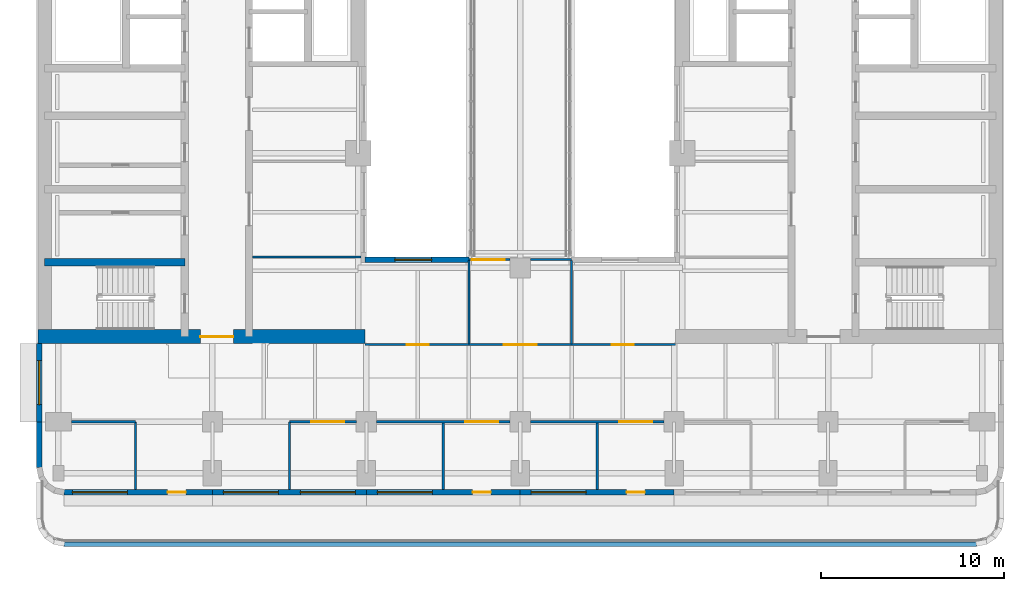
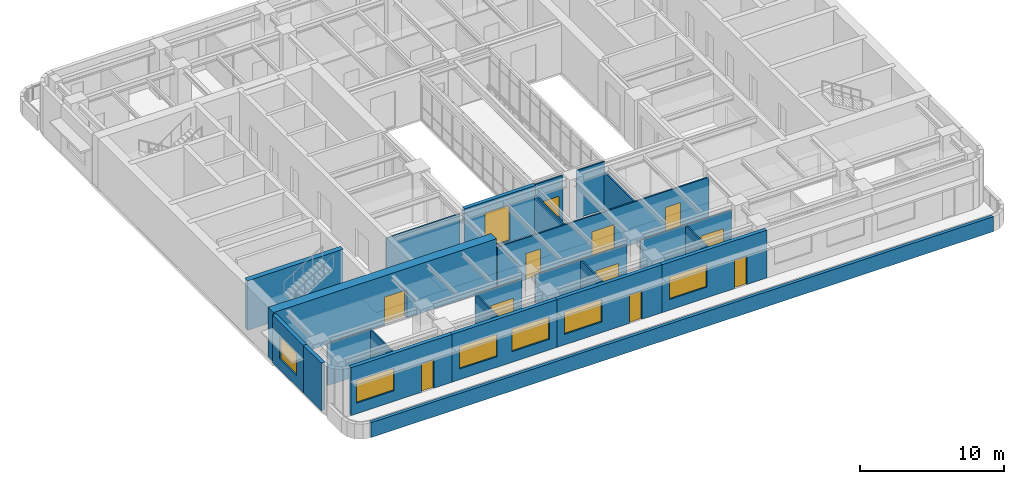
# One storey, part 6 of 15: 24 walls, 11 doors, 7 windows, 18 openings.
"""IFC4 building model written with IfcOpenShell, lengths in metres."""

from ifc_helpers import new_model, si_unit, direction, frame, frame_2d, origin, place, context, subcontext, project, spatial, rectangle, extrude, material, layer, layer_set, type_object, element, fill, save


model = new_model("IFC4")

# Units and contexts
model_context = context("Model", 3, precision=1e-05, world=origin(), true_north=direction((0.0, 1.0)))
body_context = subcontext(model_context, "Body", "Model", "MODEL_VIEW")
ifc_project = project(units=[si_unit("LENGTHUNIT", "METRE"), si_unit("AREAUNIT", "SQUARE_METRE"), si_unit("VOLUMEUNIT", "CUBIC_METRE"), si_unit("PLANEANGLEUNIT", "RADIAN"), si_unit("MASSUNIT", "GRAM", prefix="KILO")], contexts=[model_context])

# Site, building, storey
site_placement = place(None, origin())
site = spatial("IfcSite", under=ifc_project, at=site_placement, CompositionType="ELEMENT")
building_placement = place(site_placement, origin())
building = spatial("IfcBuilding", under=site, at=building_placement, Name="Claustro Exchange Tower", CompositionType="ELEMENT")
storey_placement = place(building_placement, frame((0.0, 0.0, 173.39990234375)))
storey = spatial("IfcBuildingStorey", under=building, at=storey_placement, Name="L39", CompositionType="ELEMENT", Elevation=173.39990234375)

# Wall, opening, door
ifc_material_1 = material(Name="Aluminium frame, clear double glazing", Category="aluminium")
ifc_layer_1 = layer(ifc_material_1, 0.1201171875)
ifc_layer_set_1 = layer_set([ifc_layer_1], Name="Aluminium frame, clear double glazing")
wall_type_1 = type_object("IfcWallType", Name="GS2 120 glazed bridge screen", PredefinedType="SOLIDWALL", material=ifc_layer_set_1)
wall_1_placement = place(storey_placement, frame((22.39990234375, 17.25, 0.0), z_axis=(0.0, 0.0, 1.0), x_axis=(1.0, 0.0, 0.0)))
wall_1 = element("IfcWall", 1, at=wall_1_placement, inside=storey, type_object=wall_type_1, Name="Bridge screen GS2 L39", PredefinedType="SOLIDWALL", context=body_context, shape_type="SweptSolid", body=[
    extrude(rectangle(XDim=2.25, YDim=0.1201171875, at=frame_2d((1.125, 0.0))), origin(), (0.0, 0.0, 1.0), 4.050048828125),
])
opening_1_placement = place(wall_1_placement, frame((0.14990234375, 0.0, 0.0)))
opening_1 = element("IfcOpeningElement", 2, at=opening_1_placement, cuts=wall_1, Name="Opening DE4", PredefinedType="OPENING", context=body_context, shape_type="SweptSolid", body=[
    extrude(rectangle(XDim=1.800048828125, YDim=2.39990234375, at=frame_2d((0.89990234375, 1.199951171875))), frame((0.0, 0.070068359375, 0.0), z_axis=(0.0, -1.0, 0.0), x_axis=(1.0, 0.0, 0.0)), (0.0, 0.0, 1.0), 0.14013671875),
])
ifc_material_2 = material(Name="Aluminium frame, clear double glazing", Category="aluminium")
door_type_1 = type_object("IfcDoorType", Name="DE4 1800 x 2400 sky bridge glazed double door", OperationType="DOUBLE_DOOR_SINGLE_SWING", PredefinedType="DOOR", material=ifc_material_2)
door_1_placement = place(opening_1_placement, origin())
door_1 = element("IfcDoor", 3, at=door_1_placement, inside=storey, type_object=door_type_1, Name="Sky bridge door DE4 L39", OperationType="DOUBLE_DOOR_SINGLE_SWING", OverallHeight=2.39990234375, OverallWidth=1.800048828125, PredefinedType="DOOR", context=body_context, shape_type="SweptSolid", body=[
    extrude(rectangle(XDim=1.800048828125, YDim=2.39990234375, at=frame_2d((0.89990234375, 1.199951171875))), frame((0.0, 0.02490234375, 0.0), z_axis=(0.0, -1.0, 0.0), x_axis=(1.0, 0.0, 0.0)), (0.0, 0.0, 1.0), 0.050048828125),
])
fill(opening_1, door_1)

# Walls
wall_2_placement = place(storey_placement, frame((25.75, 17.25, 0.0), z_axis=(0.0, 0.0, 1.0), x_axis=(1.0, 0.0, 0.0)))
element("IfcWall", 4, at=wall_2_placement, inside=storey, type_object=wall_type_1, Name="Bridge screen GS2 L39", PredefinedType="SOLIDWALL", context=body_context, shape_type="SweptSolid", body=[
    extrude(rectangle(XDim=2.25, YDim=0.1201171875, at=frame_2d((1.125, 0.0))), origin(), (0.0, 0.0, 1.0), 4.050048828125),
])
ifc_material_3 = material(Name="Laminated glass in aluminium frame", Category="aluminium")
ifc_layer_2 = layer(ifc_material_3, 0.1201171875)
ifc_layer_set_2 = layer_set([ifc_layer_2], Name="Laminated glass in aluminium frame")
wall_type_2 = type_object("IfcWallType", Name="P2 120 glazed partition", PredefinedType="PARTITIONING", material=ifc_layer_set_2)
wall_3_placement = place(storey_placement, frame((10.597900390625, 17.39990234375, 0.0), z_axis=(0.0, 0.0, 1.0), x_axis=(1.0, 0.0, 0.0)))
element("IfcWall", 5, at=wall_3_placement, inside=storey, type_object=wall_type_2, Name="Partition P2 L39", PredefinedType="PARTITIONING", context=body_context, shape_type="SweptSolid", body=[
    extrude(rectangle(XDim=5.904052734375, YDim=0.1201171875, at=frame_2d((2.9521484375, 0.0))), origin(), (0.0, 0.0, 1.0), 3.550048828125),
])
wall_4_placement = place(storey_placement, frame((0.698974609375, 8.39990234375, 0.0), z_axis=(0.0, 0.0, 1.0), x_axis=(1.0, 0.0, 0.0)))
element("IfcWall", 6, at=wall_4_placement, inside=storey, type_object=wall_type_2, Name="Partition P2 L39", PredefinedType="PARTITIONING", context=body_context, shape_type="SweptSolid", body=[
    extrude(rectangle(XDim=3.5009765625, YDim=0.1201171875, at=frame_2d((1.75048828125, 0.0))), origin(), (0.0, 0.0, 1.0), 3.550048828125),
])
wall_5_placement = place(storey_placement, frame((4.199951171875, 4.699951171875, 0.0), z_axis=(0.0, 0.0, 1.0), x_axis=(0.0, 1.0, 0.0)))
element("IfcWall", 7, at=wall_5_placement, inside=storey, type_object=wall_type_2, Name="Partition P2 L39", PredefinedType="PARTITIONING", context=body_context, shape_type="SweptSolid", body=[
    extrude(rectangle(XDim=3.699951171875, YDim=0.1201171875, at=frame_2d((1.85009765625, 0.0))), origin(), (0.0, 0.0, 1.0), 3.550048828125),
])

# Wall, opening, door
wall_6_placement = place(storey_placement, frame((12.60009765625, 8.39990234375, 0.0), z_axis=(0.0, 0.0, 1.0), x_axis=(1.0, 0.0, 0.0)))
wall_6 = element("IfcWall", 8, at=wall_6_placement, inside=storey, type_object=wall_type_2, Name="Partition P2 L39", PredefinedType="PARTITIONING", context=body_context, shape_type="SweptSolid", body=[
    extrude(rectangle(XDim=3.65087890625, YDim=0.1201171875, at=frame_2d((1.825439453125, 0.0))), origin(), (0.0, 0.0, 1.0), 3.550048828125),
])
opening_2_placement = place(wall_6_placement, frame((1.199951171875, 0.0, 0.0)))
opening_2 = element("IfcOpeningElement", 9, at=opening_2_placement, cuts=wall_6, Name="Opening D2", PredefinedType="OPENING", context=body_context, shape_type="SweptSolid", body=[
    extrude(rectangle(XDim=1.800048828125, YDim=2.199951171875, at=frame_2d((0.89990234375, 1.10009765625))), frame((0.0, 0.070068359375, 0.0), z_axis=(0.0, -1.0, 0.0), x_axis=(1.0, 0.0, 0.0)), (0.0, 0.0, 1.0), 0.14013671875),
])
ifc_material_4 = material(Name="Timber door, oak veneer", Category="wood")
door_type_2 = type_object("IfcDoorType", Name="D2 1800 x 2200 double door", OperationType="DOUBLE_DOOR_SINGLE_SWING", PredefinedType="DOOR", material=ifc_material_4)
door_2_placement = place(opening_2_placement, frame((1.800048828125, 0.0, 0.0), z_axis=(0.0, 0.0, 1.0), x_axis=(-1.0, 0.0, 0.0)))
door_2 = element("IfcDoor", 10, at=door_2_placement, inside=storey, type_object=door_type_2, Name="Double door D2 L39", OperationType="DOUBLE_DOOR_SINGLE_SWING", OverallHeight=2.199951171875, OverallWidth=1.800048828125, PredefinedType="DOOR", context=body_context, shape_type="SweptSolid", body=[
    extrude(rectangle(XDim=1.800048828125, YDim=2.199951171875, at=frame_2d((0.89990234375, 1.10009765625))), frame((0.0, 0.02490234375, 0.0), z_axis=(0.0, -1.0, 0.0), x_axis=(1.0, 0.0, 0.0)), (0.0, 0.0, 1.0), 0.050048828125),
])
fill(opening_2, door_2)

wall_7_placement = place(storey_placement, frame((17.34912109375, 8.39990234375, 0.0), z_axis=(0.0, 0.0, 1.0), x_axis=(1.0, 0.0, 0.0)))
wall_7 = element("IfcWall", 11, at=wall_7_placement, inside=storey, type_object=wall_type_2, Name="Partition P2 L39", PredefinedType="PARTITIONING", context=body_context, shape_type="SweptSolid", body=[
    extrude(rectangle(XDim=7.3017578125, YDim=0.1201171875, at=frame_2d((3.65087890625, 0.0))), origin(), (0.0, 0.0, 1.0), 3.550048828125),
])
opening_3_placement = place(wall_7_placement, frame((4.85107421875, 0.0, 0.0)))
opening_3 = element("IfcOpeningElement", 12, at=opening_3_placement, cuts=wall_7, Name="Opening D2", PredefinedType="OPENING", context=body_context, shape_type="SweptSolid", body=[
    extrude(rectangle(XDim=1.800048828125, YDim=2.199951171875, at=frame_2d((0.89990234375, 1.10009765625))), frame((0.0, 0.070068359375, 0.0), z_axis=(0.0, -1.0, 0.0), x_axis=(1.0, 0.0, 0.0)), (0.0, 0.0, 1.0), 0.14013671875),
])
door_3_placement = place(opening_3_placement, frame((1.800048828125, 0.0, 0.0), z_axis=(0.0, 0.0, 1.0), x_axis=(-1.0, 0.0, 0.0)))
door_3 = element("IfcDoor", 13, at=door_3_placement, inside=storey, type_object=door_type_2, Name="Double door D2 L39", OperationType="DOUBLE_DOOR_SINGLE_SWING", OverallHeight=2.199951171875, OverallWidth=1.800048828125, PredefinedType="DOOR", context=body_context, shape_type="SweptSolid", body=[
    extrude(rectangle(XDim=1.800048828125, YDim=2.199951171875, at=frame_2d((0.89990234375, 1.10009765625))), frame((0.0, 0.02490234375, 0.0), z_axis=(0.0, -1.0, 0.0), x_axis=(1.0, 0.0, 0.0)), (0.0, 0.0, 1.0), 0.050048828125),
])
fill(opening_3, door_3)

wall_8_placement = place(storey_placement, frame((25.7490234375, 8.39990234375, 0.0), z_axis=(0.0, 0.0, 1.0), x_axis=(1.0, 0.0, 0.0)))
wall_8 = element("IfcWall", 14, at=wall_8_placement, inside=storey, type_object=wall_type_2, Name="Partition P2 L39", PredefinedType="PARTITIONING", context=body_context, shape_type="SweptSolid", body=[
    extrude(rectangle(XDim=7.302001953125, YDim=0.1201171875, at=frame_2d((3.65087890625, 0.0))), origin(), (0.0, 0.0, 1.0), 3.550048828125),
])
opening_4_placement = place(wall_8_placement, frame((4.85107421875, 0.0, 0.0)))
opening_4 = element("IfcOpeningElement", 15, at=opening_4_placement, cuts=wall_8, Name="Opening D2", PredefinedType="OPENING", context=body_context, shape_type="SweptSolid", body=[
    extrude(rectangle(XDim=1.800048828125, YDim=2.199951171875, at=frame_2d((0.89990234375, 1.10009765625))), frame((0.0, 0.070068359375, 0.0), z_axis=(0.0, -1.0, 0.0), x_axis=(1.0, 0.0, 0.0)), (0.0, 0.0, 1.0), 0.14013671875),
])
door_4_placement = place(opening_4_placement, frame((1.800048828125, 0.0, 0.0), z_axis=(0.0, 0.0, 1.0), x_axis=(-1.0, 0.0, 0.0)))
door_4 = element("IfcDoor", 16, at=door_4_placement, inside=storey, type_object=door_type_2, Name="Double door D2 L39", OperationType="DOUBLE_DOOR_SINGLE_SWING", OverallHeight=2.199951171875, OverallWidth=1.800048828125, PredefinedType="DOOR", context=body_context, shape_type="SweptSolid", body=[
    extrude(rectangle(XDim=1.800048828125, YDim=2.199951171875, at=frame_2d((0.89990234375, 1.10009765625))), frame((0.0, 0.02490234375, 0.0), z_axis=(0.0, -1.0, 0.0), x_axis=(1.0, 0.0, 0.0)), (0.0, 0.0, 1.0), 0.050048828125),
])
fill(opening_4, door_4)

# Walls
wall_9_placement = place(storey_placement, frame((12.60009765625, 4.699951171875, 0.0), z_axis=(0.0, 0.0, 1.0), x_axis=(0.0, 1.0, 0.0)))
element("IfcWall", 17, at=wall_9_placement, inside=storey, type_object=wall_type_2, Name="Partition P2 L39", PredefinedType="PARTITIONING", context=body_context, shape_type="SweptSolid", body=[
    extrude(rectangle(XDim=3.699951171875, YDim=0.1201171875, at=frame_2d((1.85009765625, 0.0))), origin(), (0.0, 0.0, 1.0), 3.550048828125),
])
for number, where, z_axis, x_axis, name in (
    (18, (21.0, 4.699951171875, 0.0), (0.0, 0.0, 1.0), (0.0, 1.0, 0.0), "Partition P2 L39"),
    (19, (29.39990234375, 4.699951171875, 0.0), (0.0, 0.0, 1.0), (0.0, 1.0, 0.0), "Partition P2 L39"),
):
    element("IfcWall", number, at=place(storey_placement, frame(where, z_axis=z_axis, x_axis=x_axis)), inside=storey, type_object=wall_type_2, Name=name, PredefinedType="PARTITIONING", context=body_context, shape_type="SweptSolid", body=[
        extrude(rectangle(XDim=3.64208984375, YDim=0.1201171875, at=frame_2d((1.821044921875, 0.0))), origin(), (0.0, 0.0, 1.0), 3.550048828125),
    ])

# Wall, openings, doors
wall_10_placement = place(storey_placement, frame((16.72509765625, 12.614990234375, 0.0), z_axis=(0.0, 0.0, 1.0), x_axis=(1.0, 0.0, 0.0)))
wall_10 = element("IfcWall", 20, at=wall_10_placement, inside=storey, type_object=wall_type_2, Name="Partition P2 L39", PredefinedType="PARTITIONING", context=body_context, shape_type="SweptSolid", body=[
    extrude(rectangle(XDim=16.949951171875, YDim=0.1201171875, at=frame_2d((8.47509765625, 0.0))), origin(), (0.0, 0.0, 1.0), 3.550048828125),
])
opening_5_placement = place(wall_10_placement, frame((2.27490234375, 0.0, 0.0)))
opening_5 = element("IfcOpeningElement", 21, at=opening_5_placement, cuts=wall_10, Name="Opening D6", PredefinedType="OPENING", context=body_context, shape_type="SweptSolid", body=[
    extrude(rectangle(XDim=1.199951171875, YDim=2.199951171875, at=frame_2d((0.60009765625, 1.10009765625))), frame((0.0, 0.070068359375, 0.0), z_axis=(0.0, -1.0, 0.0), x_axis=(1.0, 0.0, 0.0)), (0.0, 0.0, 1.0), 0.14013671875),
])
opening_6_placement = place(wall_10_placement, frame((7.574951171875, 0.0, 0.0)))
opening_6 = element("IfcOpeningElement", 22, at=opening_6_placement, cuts=wall_10, Name="Opening D2", PredefinedType="OPENING", context=body_context, shape_type="SweptSolid", body=[
    extrude(rectangle(XDim=1.800048828125, YDim=2.199951171875, at=frame_2d((0.89990234375, 1.10009765625))), frame((0.0, 0.070068359375, 0.0), z_axis=(0.0, -1.0, 0.0), x_axis=(1.0, 0.0, 0.0)), (0.0, 0.0, 1.0), 0.14013671875),
])
opening_7_placement = place(wall_10_placement, frame((13.47509765625, 0.0, 0.0)))
opening_7 = element("IfcOpeningElement", 23, at=opening_7_placement, cuts=wall_10, Name="Opening D6", PredefinedType="OPENING", context=body_context, shape_type="SweptSolid", body=[
    extrude(rectangle(XDim=1.199951171875, YDim=2.199951171875, at=frame_2d((0.60009765625, 1.10009765625))), frame((0.0, 0.070068359375, 0.0), z_axis=(0.0, -1.0, 0.0), x_axis=(1.0, 0.0, 0.0)), (0.0, 0.0, 1.0), 0.14013671875),
])
door_5_placement = place(opening_6_placement, origin())
door_5 = element("IfcDoor", 24, at=door_5_placement, inside=storey, type_object=door_type_2, Name="Double door D2 L39", OperationType="DOUBLE_DOOR_SINGLE_SWING", OverallHeight=2.199951171875, OverallWidth=1.800048828125, PredefinedType="DOOR", context=body_context, shape_type="SweptSolid", body=[
    extrude(rectangle(XDim=1.800048828125, YDim=2.199951171875, at=frame_2d((0.89990234375, 1.10009765625))), frame((0.0, 0.02490234375, 0.0), z_axis=(0.0, -1.0, 0.0), x_axis=(1.0, 0.0, 0.0)), (0.0, 0.0, 1.0), 0.050048828125),
])
fill(opening_6, door_5)
ifc_material_5 = material(Name="Timber door, oak veneer", Category="wood")
door_type_3 = type_object("IfcDoorType", Name="D6 1200 x 2200 unequal pair door", OperationType="DOUBLE_DOOR_SINGLE_SWING_OPPOSITE_LEFT", PredefinedType="DOOR", material=ifc_material_5)
door_6_placement = place(opening_5_placement, origin())
door_6 = element("IfcDoor", 25, at=door_6_placement, inside=storey, type_object=door_type_3, Name="Door D6 L39", OperationType="DOUBLE_DOOR_SINGLE_SWING_OPPOSITE_LEFT", OverallHeight=2.199951171875, OverallWidth=1.199951171875, PredefinedType="DOOR", context=body_context, shape_type="SweptSolid", body=[
    extrude(rectangle(XDim=1.199951171875, YDim=2.199951171875, at=frame_2d((0.60009765625, 1.10009765625))), frame((0.0, 0.02490234375, 0.0), z_axis=(0.0, -1.0, 0.0), x_axis=(1.0, 0.0, 0.0)), (0.0, 0.0, 1.0), 0.050048828125),
])
fill(opening_5, door_6)
door_7_placement = place(opening_7_placement, origin())
door_7 = element("IfcDoor", 26, at=door_7_placement, inside=storey, type_object=door_type_3, Name="Door D6 L39", OperationType="DOUBLE_DOOR_SINGLE_SWING_OPPOSITE_LEFT", OverallHeight=2.199951171875, OverallWidth=1.199951171875, PredefinedType="DOOR", context=body_context, shape_type="SweptSolid", body=[
    extrude(rectangle(XDim=1.199951171875, YDim=2.199951171875, at=frame_2d((0.60009765625, 1.10009765625))), frame((0.0, 0.02490234375, 0.0), z_axis=(0.0, -1.0, 0.0), x_axis=(1.0, 0.0, 0.0)), (0.0, 0.0, 1.0), 0.050048828125),
])
fill(opening_7, door_7)

# Walls
for number, where, z_axis, x_axis, name in (
    (27, (22.39990234375, 12.657958984375, 0.0), (0.0, 0.0, 1.0), (0.0, 1.0, 0.0), "Partition P2 L39"),
    (28, (28.0, 12.657958984375, 0.0), (0.0, 0.0, 1.0), (0.0, 1.0, 0.0), "Partition P2 L39"),
):
    element("IfcWall", number, at=place(storey_placement, frame(where, z_axis=z_axis, x_axis=x_axis)), inside=storey, type_object=wall_type_2, Name=name, PredefinedType="PARTITIONING", context=body_context, shape_type="SweptSolid", body=[
        extrude(rectangle(XDim=4.533935546875, YDim=0.1201171875, at=frame_2d((2.26708984375, 0.0))), origin(), (0.0, 0.0, 1.0), 3.2001953125),
    ])

# Wall, openings, door, window
ifc_material_6 = material(Name="Concrete HA-40 (C40/50), precast, white cement, acid-etched", Category="concrete")
ifc_layer_3 = layer(ifc_material_6, 0.300048828125)
ifc_layer_set_3 = layer_set([ifc_layer_3], Name="Concrete HA-40 (C40/50), precast, white cement, acid-etched")
wall_type_3 = type_object("IfcWallType", Name="PC1 300 precast concrete pier panel", PredefinedType="SOLIDWALL", material=ifc_layer_set_3)
wall_11_placement = place(storey_placement, frame((33.60009765625, 4.550048828125, 0.0), z_axis=(0.0, 0.0, 1.0), x_axis=(-1.0, 0.0, 0.0)))
wall_11 = element("IfcWall", 29, at=wall_11_placement, inside=storey, type_object=wall_type_3, Name="Precast pier panel PC1 L39", PredefinedType="SOLIDWALL", context=body_context, shape_type="SweptSolid", body=[
    extrude(rectangle(XDim=8.400146484375, YDim=0.300048828125, at=frame_2d((4.2001953125, 0.0))), origin(), (0.0, 0.0, 1.0), 4.050048828125),
])
opening_8_placement = place(wall_11_placement, frame((4.800048828125, 0.0, 0.89990234375)))
opening_8 = element("IfcOpeningElement", 30, at=opening_8_placement, cuts=wall_11, Name="Opening W1", PredefinedType="OPENING", context=body_context, shape_type="SweptSolid", body=[
    extrude(rectangle(XDim=3.0, YDim=1.89990234375, at=frame_2d((1.5, 0.949951171875))), frame((0.0, 0.159912109375, 0.0), z_axis=(0.0, -1.0, 0.0), x_axis=(1.0, 0.0, 0.0)), (0.0, 0.0, 1.0), 0.320068359375),
])
opening_9_placement = place(wall_11_placement, frame((1.60009765625, 0.0, 0.0)))
opening_9 = element("IfcOpeningElement", 31, at=opening_9_placement, cuts=wall_11, Name="Opening D-T", PredefinedType="OPENING", context=body_context, shape_type="SweptSolid", body=[
    extrude(rectangle(XDim=1.0, YDim=2.39990234375, at=frame_2d((0.5, 1.199951171875))), frame((0.0, 0.159912109375, 0.0), z_axis=(0.0, -1.0, 0.0), x_axis=(1.0, 0.0, 0.0)), (0.0, 0.0, 1.0), 0.320068359375),
])
ifc_material_7 = material(Name="Aluminium frame, clear double glazing", Category="aluminium")
door_type_4 = type_object("IfcDoorType", Name="D-T 1000 x 2400 terrace door", OperationType="SINGLE_SWING_LEFT", PredefinedType="DOOR", material=ifc_material_7)
door_8_placement = place(opening_9_placement, origin())
door_8 = element("IfcDoor", 32, at=door_8_placement, inside=storey, type_object=door_type_4, Name="Terrace door D-T L39", OperationType="SINGLE_SWING_LEFT", OverallHeight=2.39990234375, OverallWidth=1.0, PredefinedType="DOOR", context=body_context, shape_type="SweptSolid", body=[
    extrude(rectangle(XDim=1.0, YDim=2.39990234375, at=frame_2d((0.5, 1.199951171875))), frame((0.0, 0.02490234375, 0.0), z_axis=(0.0, -1.0, 0.0), x_axis=(1.0, 0.0, 0.0)), (0.0, 0.0, 1.0), 0.050048828125),
])
fill(opening_9, door_8)
ifc_material_8 = material(Name="Aluminium frame, clear double glazing", Category="aluminium")
window_type_1 = type_object("IfcWindowType", Name="W1 3000 x 1900 window", PartitioningType="SINGLE_PANEL", PredefinedType="WINDOW", material=ifc_material_8)
window_1_placement = place(opening_8_placement, origin())
window_1 = element("IfcWindow", 33, at=window_1_placement, inside=storey, type_object=window_type_1, Name="Window W1 L39", OverallHeight=1.89990234375, OverallWidth=3.0, PartitioningType="SINGLE_PANEL", PredefinedType="WINDOW", context=body_context, shape_type="SweptSolid", body=[
    extrude(rectangle(XDim=3.0, YDim=1.89990234375, at=frame_2d((1.5, 0.949951171875))), frame((0.0, 0.030029296875, 0.0), z_axis=(0.0, -1.0, 0.0), x_axis=(1.0, 0.0, 0.0)), (0.0, 0.0, 1.0), 0.06005859375),
])
fill(opening_8, window_1)

wall_12_placement = place(storey_placement, frame((25.199951171875, 4.550048828125, 0.0), z_axis=(0.0, 0.0, 1.0), x_axis=(-1.0, 0.0, 0.0)))
wall_12 = element("IfcWall", 34, at=wall_12_placement, inside=storey, type_object=wall_type_3, Name="Precast pier panel PC1 L39", PredefinedType="SOLIDWALL", context=body_context, shape_type="SweptSolid", body=[
    extrude(rectangle(XDim=8.39990234375, YDim=0.300048828125, at=frame_2d((4.199951171875, 0.0))), origin(), (0.0, 0.0, 1.0), 4.050048828125),
])
opening_10_placement = place(wall_12_placement, frame((4.800048828125, 0.0, 0.89990234375)))
opening_10 = element("IfcOpeningElement", 35, at=opening_10_placement, cuts=wall_12, Name="Opening W1", PredefinedType="OPENING", context=body_context, shape_type="SweptSolid", body=[
    extrude(rectangle(XDim=3.0, YDim=1.89990234375, at=frame_2d((1.5, 0.949951171875))), frame((0.0, 0.159912109375, 0.0), z_axis=(0.0, -1.0, 0.0), x_axis=(1.0, 0.0, 0.0)), (0.0, 0.0, 1.0), 0.320068359375),
])
opening_11_placement = place(wall_12_placement, frame((1.60009765625, 0.0, 0.0)))
opening_11 = element("IfcOpeningElement", 36, at=opening_11_placement, cuts=wall_12, Name="Opening D-T", PredefinedType="OPENING", context=body_context, shape_type="SweptSolid", body=[
    extrude(rectangle(XDim=1.0, YDim=2.39990234375, at=frame_2d((0.5, 1.199951171875))), frame((0.0, 0.159912109375, 0.0), z_axis=(0.0, -1.0, 0.0), x_axis=(1.0, 0.0, 0.0)), (0.0, 0.0, 1.0), 0.320068359375),
])
door_9_placement = place(opening_11_placement, origin())
door_9 = element("IfcDoor", 37, at=door_9_placement, inside=storey, type_object=door_type_4, Name="Terrace door D-T L39", OperationType="SINGLE_SWING_RIGHT", OverallHeight=2.39990234375, OverallWidth=1.0, PredefinedType="DOOR", context=body_context, shape_type="SweptSolid", body=[
    extrude(rectangle(XDim=1.0, YDim=2.39990234375, at=frame_2d((0.5, 1.199951171875))), frame((0.0, 0.02490234375, 0.0), z_axis=(0.0, -1.0, 0.0), x_axis=(1.0, 0.0, 0.0)), (0.0, 0.0, 1.0), 0.050048828125),
])
fill(opening_11, door_9)
window_2_placement = place(opening_10_placement, origin())
window_2 = element("IfcWindow", 38, at=window_2_placement, inside=storey, type_object=window_type_1, Name="Window W1 L39", OverallHeight=1.89990234375, OverallWidth=3.0, PartitioningType="SINGLE_PANEL", PredefinedType="WINDOW", context=body_context, shape_type="SweptSolid", body=[
    extrude(rectangle(XDim=3.0, YDim=1.89990234375, at=frame_2d((1.5, 0.949951171875))), frame((0.0, 0.030029296875, 0.0), z_axis=(0.0, -1.0, 0.0), x_axis=(1.0, 0.0, 0.0)), (0.0, 0.0, 1.0), 0.06005859375),
])
fill(opening_10, window_2)

# Wall, openings, windows
wall_13_placement = place(storey_placement, frame((16.800048828125, 4.550048828125, 0.0), z_axis=(0.0, 0.0, 1.0), x_axis=(-1.0, 0.0, 0.0)))
wall_13 = element("IfcWall", 39, at=wall_13_placement, inside=storey, type_object=wall_type_3, Name="Precast pier panel PC1 L39", PredefinedType="SOLIDWALL", context=body_context, shape_type="SweptSolid", body=[
    extrude(rectangle(XDim=8.400146484375, YDim=0.300048828125, at=frame_2d((4.2001953125, 0.0))), origin(), (0.0, 0.0, 1.0), 4.050048828125),
])
opening_12_placement = place(wall_13_placement, frame((0.60009765625, 0.0, 0.89990234375)))
opening_12 = element("IfcOpeningElement", 40, at=opening_12_placement, cuts=wall_13, Name="Opening W1", PredefinedType="OPENING", context=body_context, shape_type="SweptSolid", body=[
    extrude(rectangle(XDim=3.0, YDim=1.89990234375, at=frame_2d((1.5, 0.949951171875))), frame((0.0, 0.159912109375, 0.0), z_axis=(0.0, -1.0, 0.0), x_axis=(1.0, 0.0, 0.0)), (0.0, 0.0, 1.0), 0.320068359375),
])
opening_13_placement = place(wall_13_placement, frame((4.800048828125, 0.0, 0.89990234375)))
opening_13 = element("IfcOpeningElement", 41, at=opening_13_placement, cuts=wall_13, Name="Opening W1", PredefinedType="OPENING", context=body_context, shape_type="SweptSolid", body=[
    extrude(rectangle(XDim=3.0, YDim=1.89990234375, at=frame_2d((1.5, 0.949951171875))), frame((0.0, 0.159912109375, 0.0), z_axis=(0.0, -1.0, 0.0), x_axis=(1.0, 0.0, 0.0)), (0.0, 0.0, 1.0), 0.320068359375),
])
window_3_placement = place(opening_12_placement, origin())
window_3 = element("IfcWindow", 42, at=window_3_placement, inside=storey, type_object=window_type_1, Name="Window W1 L39", OverallHeight=1.89990234375, OverallWidth=3.0, PartitioningType="SINGLE_PANEL", PredefinedType="WINDOW", context=body_context, shape_type="SweptSolid", body=[
    extrude(rectangle(XDim=3.0, YDim=1.89990234375, at=frame_2d((1.5, 0.949951171875))), frame((0.0, 0.030029296875, 0.0), z_axis=(0.0, -1.0, 0.0), x_axis=(1.0, 0.0, 0.0)), (0.0, 0.0, 1.0), 0.06005859375),
])
fill(opening_12, window_3)
window_4_placement = place(opening_13_placement, origin())
window_4 = element("IfcWindow", 43, at=window_4_placement, inside=storey, type_object=window_type_1, Name="Window W1 L39", OverallHeight=1.89990234375, OverallWidth=3.0, PartitioningType="SINGLE_PANEL", PredefinedType="WINDOW", context=body_context, shape_type="SweptSolid", body=[
    extrude(rectangle(XDim=3.0, YDim=1.89990234375, at=frame_2d((1.5, 0.949951171875))), frame((0.0, 0.030029296875, 0.0), z_axis=(0.0, -1.0, 0.0), x_axis=(1.0, 0.0, 0.0)), (0.0, 0.0, 1.0), 0.06005859375),
])
fill(opening_13, window_4)

# Wall, openings, door, window
wall_14_placement = place(storey_placement, frame((8.39990234375, 4.550048828125, 0.0), z_axis=(0.0, 0.0, 1.0), x_axis=(-1.0, 0.0, 0.0)))
wall_14 = element("IfcWall", 44, at=wall_14_placement, inside=storey, type_object=wall_type_3, Name="Precast pier panel PC1 L39", PredefinedType="SOLIDWALL", context=body_context, shape_type="SweptSolid", body=[
    extrude(rectangle(XDim=8.085205078125, YDim=0.300048828125, at=frame_2d((4.04248046875, 0.0))), origin(), (0.0, 0.0, 1.0), 4.050048828125),
])
opening_14_placement = place(wall_14_placement, frame((4.642578125, 0.0, 0.89990234375)))
opening_14 = element("IfcOpeningElement", 45, at=opening_14_placement, cuts=wall_14, Name="Opening W1", PredefinedType="OPENING", context=body_context, shape_type="SweptSolid", body=[
    extrude(rectangle(XDim=3.0, YDim=1.89990234375, at=frame_2d((1.5, 0.949951171875))), frame((0.0, 0.159912109375, 0.0), z_axis=(0.0, -1.0, 0.0), x_axis=(1.0, 0.0, 0.0)), (0.0, 0.0, 1.0), 0.320068359375),
])
opening_15_placement = place(wall_14_placement, frame((1.442626953125, 0.0, 0.0)))
opening_15 = element("IfcOpeningElement", 46, at=opening_15_placement, cuts=wall_14, Name="Opening D-T", PredefinedType="OPENING", context=body_context, shape_type="SweptSolid", body=[
    extrude(rectangle(XDim=1.0, YDim=2.39990234375, at=frame_2d((0.5, 1.199951171875))), frame((0.0, 0.159912109375, 0.0), z_axis=(0.0, -1.0, 0.0), x_axis=(1.0, 0.0, 0.0)), (0.0, 0.0, 1.0), 0.320068359375),
])
door_10_placement = place(opening_15_placement, origin())
door_10 = element("IfcDoor", 47, at=door_10_placement, inside=storey, type_object=door_type_4, Name="Terrace door D-T L39", OperationType="SINGLE_SWING_RIGHT", OverallHeight=2.39990234375, OverallWidth=1.0, PredefinedType="DOOR", context=body_context, shape_type="SweptSolid", body=[
    extrude(rectangle(XDim=1.0, YDim=2.39990234375, at=frame_2d((0.5, 1.199951171875))), frame((0.0, 0.02490234375, 0.0), z_axis=(0.0, -1.0, 0.0), x_axis=(1.0, 0.0, 0.0)), (0.0, 0.0, 1.0), 0.050048828125),
])
fill(opening_15, door_10)
window_5_placement = place(opening_14_placement, origin())
window_5 = element("IfcWindow", 48, at=window_5_placement, inside=storey, type_object=window_type_1, Name="Window W1 L39", OverallHeight=1.89990234375, OverallWidth=3.0, PartitioningType="SINGLE_PANEL", PredefinedType="WINDOW", context=body_context, shape_type="SweptSolid", body=[
    extrude(rectangle(XDim=3.0, YDim=1.89990234375, at=frame_2d((1.5, 0.949951171875))), frame((0.0, 0.030029296875, 0.0), z_axis=(0.0, -1.0, 0.0), x_axis=(1.0, 0.0, 0.0)), (0.0, 0.0, 1.0), 0.06005859375),
])
fill(opening_14, window_5)

# Wall
wall_15_placement = place(storey_placement, frame((-1.050048828125, 5.914794921875, 0.0), z_axis=(0.0, 0.0, 1.0), x_axis=(0.0, 1.0, 0.0)))
element("IfcWall", 49, at=wall_15_placement, inside=storey, type_object=wall_type_3, Name="Precast pier panel PC1 L39", PredefinedType="SOLIDWALL", context=body_context, shape_type="SweptSolid", body=[
    extrude(rectangle(XDim=2.485107421875, YDim=0.300048828125, at=frame_2d((1.24267578125, 0.0))), origin(), (0.0, 0.0, 1.0), 4.050048828125),
])

# Wall, opening, window
wall_16_placement = place(storey_placement, frame((-1.050048828125, 8.39990234375, 0.0), z_axis=(0.0, 0.0, 1.0), x_axis=(0.0, 1.0, 0.0)))
wall_16 = element("IfcWall", 50, at=wall_16_placement, inside=storey, type_object=wall_type_3, Name="Precast pier panel PC1 L39", PredefinedType="SOLIDWALL", context=body_context, shape_type="SweptSolid", body=[
    extrude(rectangle(XDim=4.275146484375, YDim=0.300048828125, at=frame_2d((2.1376953125, 0.0))), origin(), (0.0, 0.0, 1.0), 4.050048828125),
])
opening_16_placement = place(wall_16_placement, frame((0.9375, 0.0, 0.89990234375)))
opening_16 = element("IfcOpeningElement", 51, at=opening_16_placement, cuts=wall_16, Name="Opening W2", PredefinedType="OPENING", context=body_context, shape_type="SweptSolid", body=[
    extrude(rectangle(XDim=2.39990234375, YDim=1.89990234375, at=frame_2d((1.199951171875, 0.949951171875))), frame((0.0, 0.159912109375, 0.0), z_axis=(0.0, -1.0, 0.0), x_axis=(1.0, 0.0, 0.0)), (0.0, 0.0, 1.0), 0.320068359375),
])
ifc_material_9 = material(Name="Aluminium frame, clear double glazing", Category="aluminium")
window_type_2 = type_object("IfcWindowType", Name="W2 2400 x 1900 window", PartitioningType="SINGLE_PANEL", PredefinedType="WINDOW", material=ifc_material_9)
window_6_placement = place(opening_16_placement, origin())
window_6 = element("IfcWindow", 52, at=window_6_placement, inside=storey, type_object=window_type_2, Name="Window W2 L39", OverallHeight=1.89990234375, OverallWidth=2.39990234375, PartitioningType="SINGLE_PANEL", PredefinedType="WINDOW", context=body_context, shape_type="SweptSolid", body=[
    extrude(rectangle(XDim=2.39990234375, YDim=1.89990234375, at=frame_2d((1.199951171875, 0.949951171875))), frame((0.0, 0.030029296875, 0.0), z_axis=(0.0, -1.0, 0.0), x_axis=(1.0, 0.0, 0.0)), (0.0, 0.0, 1.0), 0.06005859375),
])
fill(opening_16, window_6)

wall_17_placement = place(storey_placement, frame((16.72509765625, 17.25, 0.0), z_axis=(0.0, 0.0, 1.0), x_axis=(1.0, 0.0, 0.0)))
wall_17 = element("IfcWall", 53, at=wall_17_placement, inside=storey, type_object=wall_type_3, Name="Precast pier panel PC1 L39", PredefinedType="SOLIDWALL", context=body_context, shape_type="SweptSolid", body=[
    extrude(rectangle(XDim=5.6748046875, YDim=0.300048828125, at=frame_2d((2.83740234375, 0.0))), origin(), (0.0, 0.0, 1.0), 4.050048828125),
])
opening_17_placement = place(wall_17_placement, frame((1.637451171875, 0.0, 0.10009765625)))
opening_17 = element("IfcOpeningElement", 54, at=opening_17_placement, cuts=wall_17, Name="Opening W-A", PredefinedType="OPENING", context=body_context, shape_type="SweptSolid", body=[
    extrude(rectangle(XDim=2.0, YDim=3.0, at=frame_2d((1.0, 1.5))), frame((0.0, 0.159912109375, 0.0), z_axis=(0.0, -1.0, 0.0), x_axis=(1.0, 0.0, 0.0)), (0.0, 0.0, 1.0), 0.320068359375),
])
ifc_material_10 = material(Name="Aluminium frame, clear double glazing", Category="aluminium")
window_type_3 = type_object("IfcWindowType", Name="W-A 2000 x 3000 arcade window", PartitioningType="SINGLE_PANEL", PredefinedType="WINDOW", material=ifc_material_10)
window_7_placement = place(opening_17_placement, origin())
window_7 = element("IfcWindow", 55, at=window_7_placement, inside=storey, type_object=window_type_3, Name="Window W-A L39", OverallHeight=3.0, OverallWidth=2.0, PartitioningType="SINGLE_PANEL", PredefinedType="WINDOW", context=body_context, shape_type="SweptSolid", body=[
    extrude(rectangle(XDim=2.0, YDim=3.0, at=frame_2d((1.0, 1.5))), frame((0.0, 0.030029296875, 0.0), z_axis=(0.0, -1.0, 0.0), x_axis=(1.0, 0.0, 0.0)), (0.0, 0.0, 1.0), 0.06005859375),
])
fill(opening_17, window_7)

# Wall
ifc_material_11 = material(Name="Concrete HA-40 (C40/50), precast, white cement, acid-etched", Category="concrete")
ifc_layer_4 = layer(ifc_material_11, 0.25)
ifc_layer_set_4 = layer_set([ifc_layer_4], Name="Concrete HA-40 (C40/50), precast, white cement, acid-etched")
wall_type_4 = type_object("IfcWallType", Name="PP1 250 precast concrete parapet", PredefinedType="PARAPET", material=ifc_layer_set_4)
wall_18_placement = place(storey_placement, frame((50.10009765625, 1.72509765625, -0.159912109375), z_axis=(0.0, 0.0, 1.0), x_axis=(-1.0, 0.0, 0.0)))
element("IfcWall", 56, at=wall_18_placement, inside=storey, type_object=wall_type_4, Name="Parapet PP1 roof at +173.240", PredefinedType="PARAPET", context=body_context, shape_type="SweptSolid", body=[
    extrude(rectangle(XDim=49.800048828125, YDim=0.25, at=frame_2d((24.89990234375, 0.0))), origin(), (0.0, 0.0, 1.0), 1.260009765625),
])

# Wall, opening, door
ifc_material_12 = material(Name="Concrete HA-70 (C70/85)", Category="concrete")
ifc_layer_5 = layer(ifc_material_12, 0.75)
ifc_layer_set_5 = layer_set([ifc_layer_5], Name="Concrete HA-70 (C70/85)")
wall_type_5 = type_object("IfcWallType", Name="SW2 750 core shear wall", PredefinedType="SHEAR", material=ifc_layer_set_5)
wall_19_placement = place(storey_placement, frame((-1.125, 13.050048828125, 0.0), z_axis=(0.0, 0.0, 1.0), x_axis=(1.0, 0.0, 0.0)))
wall_19 = element("IfcWall", 57, at=wall_19_placement, inside=storey, type_object=wall_type_5, Name="Core wall SW2 W core S face L39", PredefinedType="SHEAR", context=body_context, shape_type="SweptSolid", body=[
    extrude(rectangle(XDim=17.85009765625, YDim=0.75, at=frame_2d((8.925048828125, 0.0))), origin(), (0.0, 0.0, 1.0), 4.2001953125),
])
opening_18_placement = place(wall_19_placement, frame((8.875, 0.0, 0.0)))
opening_18 = element("IfcOpeningElement", 58, at=opening_18_placement, cuts=wall_19, Name="Opening D3", PredefinedType="OPENING", context=body_context, shape_type="SweptSolid", body=[
    extrude(rectangle(XDim=1.800048828125, YDim=2.39990234375, at=frame_2d((0.89990234375, 1.199951171875))), frame((0.0, 0.385009765625, 0.0), z_axis=(0.0, -1.0, 0.0), x_axis=(1.0, 0.0, 0.0)), (0.0, 0.0, 1.0), 0.77001953125),
])
ifc_material_13 = material(Name="Steel fire door, painted", Category="steel")
door_type_5 = type_object("IfcDoorType", Name="D3 1800 x 2400 fire-rated lobby double door", OperationType="DOUBLE_DOOR_SINGLE_SWING", PredefinedType="DOOR", material=ifc_material_13)
door_11_placement = place(opening_18_placement, origin())
door_11 = element("IfcDoor", 59, at=door_11_placement, inside=storey, type_object=door_type_5, Name="Lift lobby door D3 L39", OperationType="DOUBLE_DOOR_SINGLE_SWING", OverallHeight=2.39990234375, OverallWidth=1.800048828125, PredefinedType="DOOR", context=body_context, shape_type="SweptSolid", body=[
    extrude(rectangle(XDim=1.800048828125, YDim=2.39990234375, at=frame_2d((0.89990234375, 1.199951171875))), frame((0.0, 0.02490234375, 0.0), z_axis=(0.0, -1.0, 0.0), x_axis=(1.0, 0.0, 0.0)), (0.0, 0.0, 1.0), 0.050048828125),
])
fill(opening_18, door_11)

# Wall
ifc_material_14 = material(Name="Concrete HA-50 (C50/60)", Category="concrete")
ifc_layer_6 = layer(ifc_material_14, 0.39990234375)
ifc_layer_set_6 = layer_set([ifc_layer_6], Name="Concrete HA-50 (C50/60)")
wall_type_6 = type_object("IfcWallType", Name="SW4 400 internal core wall", PredefinedType="SHEAR", material=ifc_layer_set_6)
wall_20_placement = place(storey_placement, frame((-0.75, 17.10009765625, 0.0), z_axis=(0.0, 0.0, 1.0), x_axis=(1.0, 0.0, 0.0)))
element("IfcWall", 60, at=wall_20_placement, inside=storey, type_object=wall_type_6, Name="Internal core wall SW4 W core L39", PredefinedType="SHEAR", context=body_context, shape_type="SweptSolid", body=[
    extrude(rectangle(XDim=7.64990234375, YDim=0.39990234375, at=frame_2d((3.824951171875, 0.0))), origin(), (0.0, 0.0, 1.0), 4.2001953125),
])

save(model, "model.ifc")
